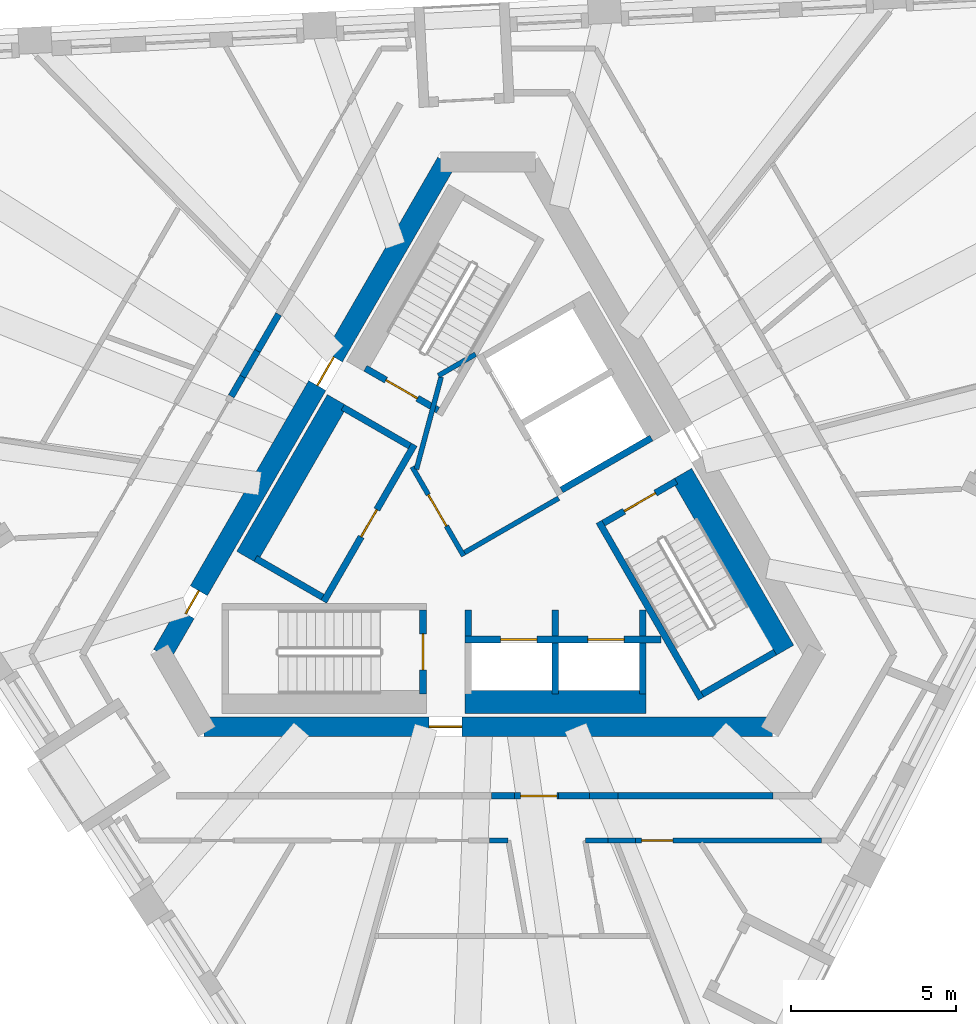
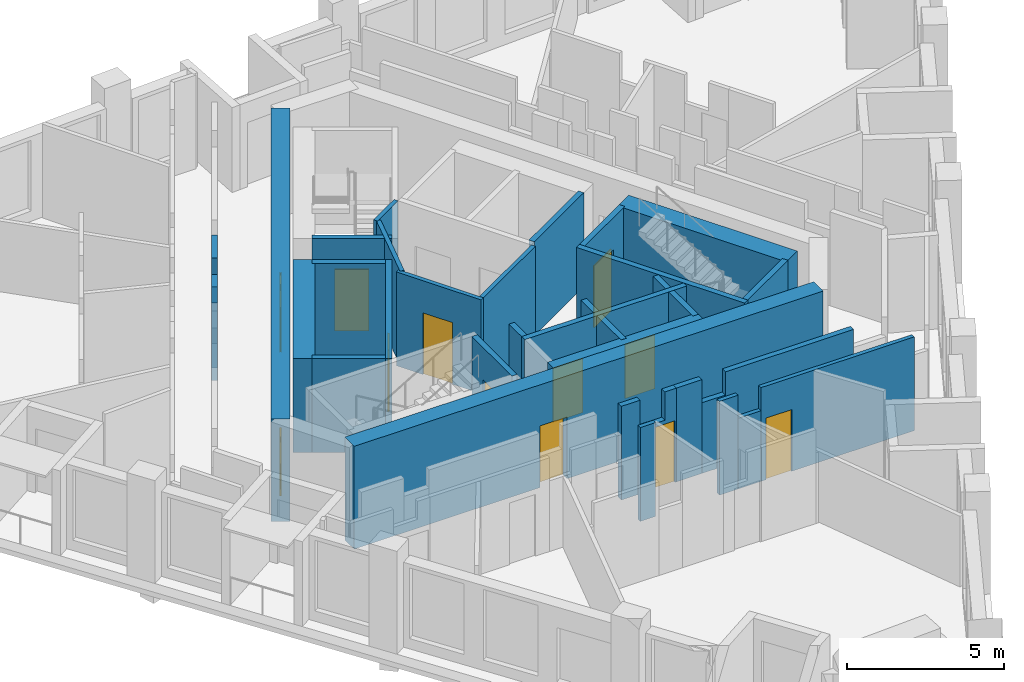
# One storey, part 4 of 12: 36 walls, 12 doors, 12 openings.
"""IFC4 building model written with IfcOpenShell, lengths in metres."""

import ifcopenshell
import ifcopenshell.guid

model = None  # the IFC model being written
_history = None  # IfcOwnerHistory: only IFC2X3 demands one
_inside = {}  # id of a spatial element -> (the spatial element, [elements in it])
_under = {}  # id of a project, library or spatial element -> (it, [spatial elements below it])
_declared = {}  # id of a project -> (the project, [libraries it declares])
_typed = {}  # id of a type object -> (the type object, [elements of that type])
_made_of = {}  # id of a material, layer set ... -> (it, [elements and type objects made of it])


def new_model(schema):
    """Start an empty IFC model of exactly this schema.

    Asked for "IFC4X3", IfcOpenShell would pick the latest addendum, in which some entities
    have other attributes; the version numbers below select the first issue.
    IFC2X3 requires an IfcOwnerHistory on every rooted entity: one is made here for all.
    """
    global model, _history
    if schema == "IFC4X3":
        model = ifcopenshell.file(schema_version=(4, 3, 0, 0))
    else:
        model = ifcopenshell.file(schema=schema)
    _inside.clear()
    _under.clear()
    _declared.clear()
    _typed.clear()
    _made_of.clear()
    _history = None
    if model.schema == "IFC2X3":
        org = make("IfcOrganization", Name="unknown")
        user = make(
            "IfcPersonAndOrganization",
            ThePerson=make("IfcPerson", FamilyName="unknown"),
            TheOrganization=org,
        )
        app = make(
            "IfcApplication",
            ApplicationDeveloper=org,
            Version="unknown",
            ApplicationFullName="unknown",
            ApplicationIdentifier="unknown",
        )
        _history = make(
            "IfcOwnerHistory",
            OwningUser=user,
            OwningApplication=app,
            ChangeAction="ADDED",
            CreationDate=0,
        )
    return model


def make(cls, **values):
    """One entity of the class cls with the attributes given. An attribute that is None is left unset."""
    return model.create_entity(
        cls, **{name: value for name, value in values.items() if value is not None}
    )


def rooted(cls, **values):
    """An entity with a GlobalId (a new one), such as an element, a storey or a relation."""
    return make(cls, GlobalId=ifcopenshell.guid.new(), OwnerHistory=_history, **values)


def si_unit(unit_type, name, prefix=None):
    """IfcSIUnit, for example si_unit("LENGTHUNIT", "METRE", prefix="MILLI")."""
    return make("IfcSIUnit", UnitType=unit_type, Prefix=prefix, Name=name)


def assignment(units):
    """IfcUnitAssignment: the units of a project."""
    return None if units is None else make("IfcUnitAssignment", Units=units)


def point(xyz):
    """IfcCartesianPoint."""
    return None if xyz is None else make("IfcCartesianPoint", Coordinates=xyz)


def direction(xyz):
    """IfcDirection."""
    return None if xyz is None else make("IfcDirection", DirectionRatios=xyz)


def frame(location, z_axis=None, x_axis=None):
    """IfcAxis2Placement3D, a coordinate frame: its origin and axes. An axis left out is left unset."""
    return make(
        "IfcAxis2Placement3D",
        Location=point(location),
        Axis=direction(z_axis),
        RefDirection=direction(x_axis),
    )


def frame_2d(location, x_axis=None):
    """IfcAxis2Placement2D, a coordinate frame in the plane: its origin and x axis."""
    return make(
        "IfcAxis2Placement2D", Location=point(location), RefDirection=direction(x_axis)
    )


def origin():
    """The frame at (0, 0, 0) with its axes left unset."""
    return frame((0.0, 0.0, 0.0))


def place(relative_to, where):
    """IfcLocalPlacement: puts the frame where relative to a parent placement (None: the world)."""
    return make(
        "IfcLocalPlacement", PlacementRelTo=relative_to, RelativePlacement=where
    )


def context(
    kind, dimensions, precision=None, world=None, true_north=None, identifier=None
):
    """IfcGeometricRepresentationContext, for example the 3D "Model" context."""
    return make(
        "IfcGeometricRepresentationContext",
        ContextIdentifier=identifier,
        ContextType=kind,
        CoordinateSpaceDimension=dimensions,
        Precision=precision,
        WorldCoordinateSystem=world,
        TrueNorth=true_north,
    )


def subcontext(parent, identifier, kind, view, scale=None):
    """IfcGeometricRepresentationSubContext, for example "Body" below "Model"."""
    return make(
        "IfcGeometricRepresentationSubContext",
        ContextIdentifier=identifier,
        ContextType=kind,
        ParentContext=parent,
        TargetScale=scale,
        TargetView=view,
    )


def project(units=None, contexts=None):
    """IfcProject with its units and contexts."""
    return rooted(
        "IfcProject",
        Name="project",
        RepresentationContexts=contexts,
        UnitsInContext=assignment(units),
    )


def spatial(cls, under=None, at=None, **own):
    """A site, building, storey or space (cls), placed at a placement, below another one or the project."""
    s = rooted(cls, ObjectPlacement=at, **own)
    if under is not None:
        _under.setdefault(under.id(), (under, []))[1].append(s)
    return s


def polyline(points):
    """IfcPolyline through the points."""
    return make("IfcPolyline", Points=[point(p) for p in points])


def profile(cls, at=None, kind="AREA", **sizes):
    """A parametric profile (cls). Its sizes go by their IFC names, for example OverallWidth=200.0."""
    return make(cls, ProfileType=kind, Position=at, **sizes)


def rectangle(**sizes):
    """IfcRectangleProfileDef."""
    return profile("IfcRectangleProfileDef", **sizes)


def outline(outer, holes=None, kind="AREA"):
    """IfcArbitraryClosedProfileDef: a profile drawn as a closed curve; with holes, ...WithVoids."""
    if holes is None:
        return make("IfcArbitraryClosedProfileDef", ProfileType=kind, OuterCurve=outer)
    return make(
        "IfcArbitraryProfileDefWithVoids",
        ProfileType=kind,
        OuterCurve=outer,
        InnerCurves=holes,
    )


def extrude(swept, where, along, depth):
    """IfcExtrudedAreaSolid: the profile swept, set in the frame where, extruded along a direction by depth."""
    return make(
        "IfcExtrudedAreaSolid",
        SweptArea=swept,
        Position=where,
        ExtrudedDirection=direction(along),
        Depth=depth,
    )


def shape(context_of_items, identifier, shape_type, items):
    """IfcShapeRepresentation: the items that make up one representation, for example the "Body"."""
    return make(
        "IfcShapeRepresentation",
        ContextOfItems=context_of_items,
        RepresentationIdentifier=identifier,
        RepresentationType=shape_type,
        Items=items,
    )


def material(Name=None, Category=None):
    """IfcMaterial."""
    return make("IfcMaterial", Name=Name, Category=Category)


def layer(
    of_material, thickness, ventilated=None, Name=None, Category=None, Priority=None
):
    """IfcMaterialLayer: one layer of a wall or slab, of a material (None: an air gap)."""
    return make(
        "IfcMaterialLayer",
        Material=of_material,
        LayerThickness=thickness,
        IsVentilated=ventilated,
        Name=Name,
        Category=Category,
        Priority=Priority,
    )


def layer_set(layers, Name=None):
    """IfcMaterialLayerSet."""
    return make("IfcMaterialLayerSet", MaterialLayers=layers, LayerSetName=Name)


def made_of(thing, what):
    """Note that an element or type object is made of a material, layer set ...; save() writes the relation."""
    if what is not None:
        _made_of.setdefault(what.id(), (what, []))[1].append(thing)
    return thing


def type_object(cls, material=None, **own):
    """A type object (cls), such as IfcWallType, which elements share."""
    return made_of(rooted(cls, **own), material)


def element(
    cls,
    number,
    at=None,
    inside=None,
    cuts=None,
    type_object=None,
    material=None,
    context=None,
    identifier="Body",
    shape_type=None,
    held_by="IfcProductDefinitionShape",
    body=None,
    shapes=None,
    **own,
):
    """One element of the class cls, such as IfcWall. Its Tag is "e" and its number.

    at: its placement. inside: the storey or other place that contains it. cuts: it is an
    opening in that element (IfcRelVoidsElement). A single representation is given by context,
    identifier, shape_type and body (its items); several are given by shapes. held_by: the class
    of the entity that holds the representations. save() writes the other relations.
    """
    e = rooted(cls, Tag="e%d" % number, ObjectPlacement=at, **own)
    if body is not None:
        shapes = [shape(context, identifier, shape_type, body)]
    if shapes is not None:
        e.Representation = make(held_by, Representations=shapes)
    if inside is not None:
        _inside.setdefault(inside.id(), (inside, []))[1].append(e)
    if cuts is not None:
        rooted(
            "IfcRelVoidsElement", RelatingBuildingElement=cuts, RelatedOpeningElement=e
        )
    if type_object is not None:
        _typed.setdefault(type_object.id(), (type_object, []))[1].append(e)
    return made_of(e, material)


def fill(opening, filler):
    """IfcRelFillsElement: the door or window that sits in an opening."""
    return rooted(
        "IfcRelFillsElement",
        RelatingOpeningElement=opening,
        RelatedBuildingElement=filler,
    )


def aggregate(whole, parts):
    """IfcRelAggregates: a whole, such as a stair, and the parts it consists of."""
    return rooted("IfcRelAggregates", RelatingObject=whole, RelatedObjects=parts)


def save(model, path):
    """Write the relations noted so far, then the file.

    IfcRelAggregates (storeys below a building ...), IfcRelContainedInSpatialStructure (elements
    in a storey), IfcRelDefinesByType, IfcRelAssociatesMaterial and IfcRelDeclares: one each for
    every whole, place, type object, material and project.
    """
    for whole, parts in _under.values():
        aggregate(whole, parts)
    for where, things in _inside.values():
        rooted(
            "IfcRelContainedInSpatialStructure",
            RelatedElements=things,
            RelatingStructure=where,
        )
    for kind, things in _typed.values():
        rooted("IfcRelDefinesByType", RelatedObjects=things, RelatingType=kind)
    for what, things in _made_of.values():
        rooted("IfcRelAssociatesMaterial", RelatedObjects=things, RelatingMaterial=what)
    for by, libraries in _declared.values():
        rooted("IfcRelDeclares", RelatingContext=by, RelatedDefinitions=libraries)
    model.write(path)


model = new_model("IFC4")

# Units and contexts
model_context = context("Model", 3, precision=1e-05, world=origin(), true_north=direction((0.0, 1.0)))
body_context = subcontext(model_context, "Body", "Model", "MODEL_VIEW")
ifc_project = project(units=[si_unit("LENGTHUNIT", "METRE"), si_unit("AREAUNIT", "SQUARE_METRE"), si_unit("VOLUMEUNIT", "CUBIC_METRE"), si_unit("PLANEANGLEUNIT", "RADIAN"), si_unit("MASSUNIT", "GRAM", prefix="KILO")], contexts=[model_context])

# Site, building, storey
site_placement = place(None, origin())
site = spatial("IfcSite", under=ifc_project, at=site_placement, CompositionType="ELEMENT")
building_placement = place(site_placement, origin())
building = spatial("IfcBuilding", under=site, at=building_placement, Name="Tramontana Tower", CompositionType="ELEMENT")
storey_placement = place(building_placement, frame((0.0, 0.0, 282.39990234375)))
storey = spatial("IfcBuildingStorey", under=building, at=storey_placement, Name="L66", CompositionType="ELEMENT", Elevation=282.39990234375)

# Wall, openings, doors
ifc_material_1 = material(Name="Concrete 70 MPa", Category="concrete")
ifc_layer_1 = layer(ifc_material_1, 0.60009765625)
ifc_layer_set_1 = layer_set([ifc_layer_1], Name="Core wall 600 70 MPa")
wall_type_1 = type_object("IfcWallType", Name="Core wall 600 70 MPa", PredefinedType="SHEAR", material=ifc_layer_set_1)
wall_1_placement = place(storey_placement, frame((-1.270263671875, 10.699951171875, 0.0), z_axis=(0.0, 0.0, 1.0), x_axis=(-0.499999536116, -0.866025671608, 0.0)))
wall_1 = element("IfcWall", 1, at=wall_1_placement, inside=storey, type_object=wall_type_1, Name="Core wall C1 L66", PredefinedType="SHEAR", context=body_context, shape_type="SweptSolid", body=[
    extrude(rectangle(XDim=17.2626953125, YDim=0.60009765625, at=frame_2d((8.63134765625, 0.0))), origin(), (0.0, 0.0, 1.0), 4.0),
])
opening_1_placement = place(wall_1_placement, frame((6.83642578125, 0.0, 0.0)))
opening_1 = element("IfcOpeningElement", 2, at=opening_1_placement, cuts=wall_1, Name="Opening RG1", PredefinedType="OPENING", context=body_context, shape_type="SweptSolid", body=[
    extrude(rectangle(XDim=1.0, YDim=2.39990234375, at=frame_2d((0.5, 1.199951171875))), frame((0.0, 0.31005859375, 0.0), z_axis=(0.0, -1.0, 0.0), x_axis=(1.0, 0.0, 0.0)), (0.0, 0.0, 1.0), 0.6201171875),
])
opening_2_placement = place(wall_1_placement, frame((15.0341796875, 0.0, 0.0)))
opening_2 = element("IfcOpeningElement", 3, at=opening_2_placement, cuts=wall_1, Name="Opening PD1", PredefinedType="OPENING", context=body_context, shape_type="SweptSolid", body=[
    extrude(rectangle(XDim=0.800048828125, YDim=2.10009765625, at=frame_2d((0.39990234375, 1.050048828125))), frame((0.0, 0.31005859375, 0.0), z_axis=(0.0, -1.0, 0.0), x_axis=(1.0, 0.0, 0.0)), (0.0, 0.0, 1.0), 0.6201171875),
])
ifc_material_2 = material(Name="Painted steel", Category="steel")
door_type_1 = type_object("IfcDoorType", Name="CUPBOARD DOOR 800", OperationType="SINGLE_SWING_LEFT", PredefinedType="DOOR", material=ifc_material_2)
door_1_placement = place(opening_2_placement, origin())
door_1 = element("IfcDoor", 4, at=door_1_placement, inside=storey, type_object=door_type_1, Name="Door PD1", OperationType="SINGLE_SWING_RIGHT", OverallHeight=2.10009765625, OverallWidth=0.800048828125, PredefinedType="DOOR", context=body_context, shape_type="SweptSolid", body=[
    extrude(rectangle(XDim=0.800048828125, YDim=2.10009765625, at=frame_2d((0.39990234375, 1.050048828125))), frame((0.0, 0.02490234375, 0.0), z_axis=(0.0, -1.0, 0.0), x_axis=(1.0, 0.0, 0.0)), (0.0, 0.0, 1.0), 0.050048828125),
])
fill(opening_2, door_1)
ifc_material_3 = material(Name="Painted steel", Category="steel")
door_type_2 = type_object("IfcDoorType", Name="RING DOOR 1000", OperationType="SINGLE_SWING_LEFT", PredefinedType="DOOR", material=ifc_material_3)
door_2_placement = place(opening_1_placement, origin())
door_2 = element("IfcDoor", 5, at=door_2_placement, inside=storey, type_object=door_type_2, Name="Door RG1", OperationType="SINGLE_SWING_LEFT", OverallHeight=2.39990234375, OverallWidth=1.0, PredefinedType="DOOR", context=body_context, shape_type="SweptSolid", body=[
    extrude(rectangle(XDim=1.0, YDim=2.39990234375, at=frame_2d((0.5, 1.199951171875))), frame((0.0, 0.02490234375, 0.0), z_axis=(0.0, -1.0, 0.0), x_axis=(1.0, 0.0, 0.0)), (0.0, 0.0, 1.0), 0.050048828125),
])
fill(opening_1, door_2)

# Wall, opening, door
wall_2_placement = place(storey_placement, frame((-8.63134765625, -6.449951171875, 0.0), z_axis=(0.0, 0.0, 1.0), x_axis=(1.0, 0.0, 0.0)))
wall_2 = element("IfcWall", 6, at=wall_2_placement, inside=storey, type_object=wall_type_1, Name="Core wall C3 L66", PredefinedType="SHEAR", context=body_context, shape_type="SweptSolid", body=[
    extrude(rectangle(XDim=17.2626953125, YDim=0.60009765625, at=frame_2d((8.63134765625, 0.0))), origin(), (0.0, 0.0, 1.0), 4.0),
])
opening_3_placement = place(wall_2_placement, frame((6.83642578125, 0.0, 0.0)))
opening_3 = element("IfcOpeningElement", 7, at=opening_3_placement, cuts=wall_2, Name="Opening RG2", PredefinedType="OPENING", context=body_context, shape_type="SweptSolid", body=[
    extrude(rectangle(XDim=1.0, YDim=2.39990234375, at=frame_2d((0.5, 1.199951171875))), frame((0.0, 0.31005859375, 0.0), z_axis=(0.0, -1.0, 0.0), x_axis=(1.0, 0.0, 0.0)), (0.0, 0.0, 1.0), 0.6201171875),
])
door_3_placement = place(opening_3_placement, origin())
door_3 = element("IfcDoor", 8, at=door_3_placement, inside=storey, type_object=door_type_2, Name="Door RG2", OperationType="SINGLE_SWING_RIGHT", OverallHeight=2.39990234375, OverallWidth=1.0, PredefinedType="DOOR", context=body_context, shape_type="SweptSolid", body=[
    extrude(rectangle(XDim=1.0, YDim=2.39990234375, at=frame_2d((0.5, 1.199951171875))), frame((0.0, 0.02490234375, 0.0), z_axis=(0.0, -1.0, 0.0), x_axis=(1.0, 0.0, 0.0)), (0.0, 0.0, 1.0), 0.050048828125),
])
fill(opening_3, door_3)

# Walls
ifc_material_4 = material(Name="Blockwork", Category="masonry")
ifc_layer_2 = layer(ifc_material_4, 0.199951171875)
ifc_layer_set_2 = layer_set([ifc_layer_2], Name="ENTRY WALL 200")
wall_type_2 = type_object("IfcWallType", Name="ENTRY WALL 200", PredefinedType="SOLIDWALL", material=ifc_layer_set_2)
wall_3_placement = place(storey_placement, frame((8.6552734375, -8.550048828125, 0.0), z_axis=(0.0, 0.0, 1.0), x_axis=(-1.0, 0.0, 0.0)))
element("IfcWall", 9, at=wall_3_placement, inside=storey, type_object=wall_type_2, Name="Wall v70-ew1-1", PredefinedType="SOLIDWALL", context=body_context, shape_type="SweptSolid", body=[
    extrude(rectangle(XDim=4.71728515625, YDim=0.199951171875, at=frame_2d((2.358642578125, 0.0))), origin(), (0.0, 0.0, 1.0), 3.650146484375),
])
wall_4_placement = place(storey_placement, frame((3.93798828125, -8.550048828125, 0.0), z_axis=(0.0, 0.0, 1.0), x_axis=(-1.0, 0.0, 0.0)))
element("IfcWall", 10, at=wall_4_placement, inside=storey, type_object=wall_type_2, Name="Wall v70-ew1-2", PredefinedType="SOLIDWALL", context=body_context, shape_type="SweptSolid", body=[
    extrude(rectangle(XDim=0.864501953125, YDim=0.199951171875, at=frame_2d((0.43212890625, 0.0))), origin(), (0.0, 0.0, 1.0), 2.75),
])
wall_5_placement = place(storey_placement, frame((3.073486328125, -8.550048828125, 0.0), z_axis=(0.0, 0.0, 1.0), x_axis=(-1.0, 0.0, 0.0)))
element("IfcWall", 11, at=wall_5_placement, inside=storey, type_object=wall_type_2, Name="Wall v70-ew1-3", PredefinedType="SOLIDWALL", context=body_context, shape_type="SweptSolid", body=[
    extrude(rectangle(XDim=0.939208984375, YDim=0.199951171875, at=frame_2d((0.4697265625, 0.0))), origin(), (0.0, 0.0, 1.0), 3.650146484375),
])

# Wall, opening, door
wall_6_placement = place(storey_placement, frame((2.13427734375, -8.550048828125, 0.0), z_axis=(0.0, 0.0, 1.0), x_axis=(-1.0, 0.0, 0.0)))
wall_6 = element("IfcWall", 12, at=wall_6_placement, inside=storey, type_object=wall_type_2, Name="Wall v70-ew1-4", PredefinedType="SOLIDWALL", context=body_context, shape_type="SweptSolid", body=[
    extrude(outline(polyline([(0.0, 0.0), (1.339111328125, 0.0), (1.3388671875, 2.550048828125), (0.429443359375, 2.550048828125), (0.429443359375, 3.650146484375), (0.0, 3.650146484375), (0.0, 0.0)])), frame((0.0, 0.10009765625, 0.0), z_axis=(0.0, -1.0, 0.0), x_axis=(1.0, 0.0, 0.0)), (0.0, 0.0, 1.0), 0.199951171875),
])
opening_4_placement = place(wall_6_placement, frame((0.050048828125, 0.0, 0.0)))
opening_4 = element("IfcOpeningElement", 13, at=opening_4_placement, cuts=wall_6, Name="Opening B7A-22", PredefinedType="OPENING", context=body_context, shape_type="SweptSolid", body=[
    extrude(rectangle(XDim=1.10009765625, YDim=2.39990234375, at=frame_2d((0.550048828125, 1.199951171875))), frame((0.0, 0.10986328125, 0.0), z_axis=(0.0, -1.0, 0.0), x_axis=(1.0, 0.0, 0.0)), (0.0, 0.0, 1.0), 0.219970703125),
])
ifc_material_5 = material(Name="Painted timber", Category="wood")
door_type_3 = type_object("IfcDoorType", Name="DOOR ENTRY 1100", OperationType="SINGLE_SWING_LEFT", PredefinedType="DOOR", material=ifc_material_5)
door_4_placement = place(opening_4_placement, origin())
door_4 = element("IfcDoor", 14, at=door_4_placement, inside=storey, type_object=door_type_3, Name="Door B7A-22", OperationType="SINGLE_SWING_RIGHT", OverallHeight=2.39990234375, OverallWidth=1.10009765625, PredefinedType="DOOR", context=body_context, shape_type="SweptSolid", body=[
    extrude(rectangle(XDim=1.10009765625, YDim=2.39990234375, at=frame_2d((0.550048828125, 1.199951171875))), frame((0.0, 0.02490234375, 0.0), z_axis=(0.0, -1.0, 0.0), x_axis=(1.0, 0.0, 0.0)), (0.0, 0.0, 1.0), 0.050048828125),
])
fill(opening_4, door_4)

# Walls
wall_7_placement = place(storey_placement, frame((0.795166015625, -8.550048828125, 0.0), z_axis=(0.0, 0.0, 1.0), x_axis=(-1.0, 0.0, 0.0)))
element("IfcWall", 15, at=wall_7_placement, inside=storey, type_object=wall_type_2, Name="Wall v70-ew1-5", PredefinedType="SOLIDWALL", context=body_context, shape_type="SweptSolid", body=[
    extrude(rectangle(XDim=0.69091796875, YDim=0.199951171875, at=frame_2d((0.345458984375, 0.0))), origin(), (0.0, 0.0, 1.0), 3.650146484375),
])
wall_8_placement = place(storey_placement, frame((-7.80224609375, 3.586181640625, 0.0), z_axis=(0.0, 0.0, 1.0), x_axis=(0.500242282693, 0.865885476611, 0.0)))
element("IfcWall", 16, at=wall_8_placement, inside=storey, type_object=wall_type_2, Name="Wall v70-ew3-5", PredefinedType="SOLIDWALL", context=body_context, shape_type="SweptSolid", body=[
    extrude(rectangle(XDim=0.691162109375, YDim=0.199951171875, at=frame_2d((0.345703125, 0.0))), origin(), (0.0, 0.0, 1.0), 3.650146484375),
])
wall_9_placement = place(storey_placement, frame((-7.45654296875, 4.1845703125, 0.0), z_axis=(0.0, 0.0, 1.0), x_axis=(0.499753735824, 0.866167537795, 0.0)))
element("IfcWall", 17, at=wall_9_placement, inside=storey, type_object=wall_type_2, Name="Wall v70-ew3-6", PredefinedType="SOLIDWALL", context=body_context, shape_type="SweptSolid", body=[
    extrude(rectangle(XDim=0.90087890625, YDim=0.199951171875, at=frame_2d((0.450439453125, 0.0))), origin(), (0.0, 0.0, 1.0), 2.550048828125),
])
wall_10_placement = place(storey_placement, frame((-7.00634765625, 4.96484375, 0.0), z_axis=(0.0, 0.0, 1.0), x_axis=(0.500018234033, 0.866014876105, 0.0)))
element("IfcWall", 18, at=wall_10_placement, inside=storey, type_object=wall_type_2, Name="Wall v70-ew3-7", PredefinedType="SOLIDWALL", context=body_context, shape_type="SweptSolid", body=[
    extrude(rectangle(XDim=1.2861328125, YDim=0.199951171875, at=frame_2d((0.64306640625, 0.0))), origin(), (0.0, 0.0, 1.0), 3.650146484375),
])

# Wall, opening, door
ifc_material_6 = material(Name="Gypsum board partition")
ifc_layer_3 = layer(ifc_material_6, 0.14990234375)
ifc_layer_set_3 = layer_set([ifc_layer_3], Name="PARTITION 150")
wall_type_3 = type_object("IfcWallType", Name="PARTITION 150", PredefinedType="PARTITIONING", material=ifc_layer_set_3)
wall_11_placement = place(storey_placement, frame((-0.744140625, -1.260986328125, 0.0), z_axis=(0.0, 0.0, 1.0), x_axis=(-0.500004234368, 0.866022959057, 0.0)))
wall_11 = element("IfcWall", 19, at=wall_11_placement, inside=storey, type_object=wall_type_3, Name="Wall ff-front", PredefinedType="PARTITIONING", context=body_context, shape_type="SweptSolid", body=[
    extrude(rectangle(XDim=3.125, YDim=0.14990234375, at=frame_2d((1.5625, 0.0))), origin(), (0.0, 0.0, 1.0), 3.650146484375),
])
opening_5_placement = place(wall_11_placement, frame((1.050048828125, 0.0, 0.0)))
opening_5 = element("IfcOpeningElement", 20, at=opening_5_placement, cuts=wall_11, Name="Opening FD1", PredefinedType="OPENING", context=body_context, shape_type="SweptSolid", body=[
    extrude(rectangle(XDim=1.10009765625, YDim=2.39990234375, at=frame_2d((0.550048828125, 1.199951171875))), frame((0.0, 0.0849609375, 0.0), z_axis=(0.0, -1.0, 0.0), x_axis=(1.0, 0.0, 0.0)), (0.0, 0.0, 1.0), 0.169921875),
])
door_5_placement = place(opening_5_placement, origin())
door_5 = element("IfcDoor", 21, at=door_5_placement, inside=storey, type_object=door_type_3, Name="Door FD1", OperationType="SINGLE_SWING_RIGHT", OverallHeight=2.39990234375, OverallWidth=1.10009765625, PredefinedType="DOOR", context=body_context, shape_type="SweptSolid", body=[
    extrude(rectangle(XDim=1.10009765625, YDim=2.39990234375, at=frame_2d((0.550048828125, 1.199951171875))), frame((0.0, 0.02490234375, 0.0), z_axis=(0.0, -1.0, 0.0), x_axis=(1.0, 0.0, 0.0)), (0.0, 0.0, 1.0), 0.050048828125),
])
fill(opening_5, door_5)

# Walls
wall_12_placement = place(storey_placement, frame((-0.716796875, -1.15869140625, 0.0), z_axis=(0.0, 0.0, 1.0), x_axis=(0.866008176907, 0.50002983664, 0.0)))
element("IfcWall", 22, at=wall_12_placement, inside=storey, type_object=wall_type_3, Name="Wall ff-end0", PredefinedType="PARTITIONING", context=body_context, shape_type="SweptSolid", body=[
    extrude(rectangle(XDim=3.300048828125, YDim=0.14990234375, at=frame_2d((1.64990234375, 0.0))), origin(), (0.0, 0.0, 1.0), 3.650146484375),
])
wall_13_placement = place(storey_placement, frame((-2.177978515625, 1.372314453125, 0.0), z_axis=(0.0, 0.0, 1.0), x_axis=(0.258808958833, 0.96592852884, 0.0)))
element("IfcWall", 23, at=wall_13_placement, inside=storey, type_object=wall_type_3, Name="Wall ff-diag", PredefinedType="PARTITIONING", context=body_context, shape_type="SweptSolid", body=[
    extrude(rectangle(XDim=2.902587890625, YDim=0.14990234375, at=frame_2d((1.451171875, 0.0))), origin(), (0.0, 0.0, 1.0), 3.650146484375),
])
wall_14_placement = place(storey_placement, frame((-1.509765625, 4.21484375, 0.0), z_axis=(0.0, 0.0, 1.0), x_axis=(0.866085525409, 0.49989585183, 0.0)))
element("IfcWall", 24, at=wall_14_placement, inside=storey, type_object=wall_type_3, Name="Wall ff-end1", PredefinedType="PARTITIONING", context=body_context, shape_type="SweptSolid", body=[
    extrude(rectangle(XDim=1.300048828125, YDim=0.14990234375, at=frame_2d((0.64990234375, 0.0))), origin(), (0.0, 0.0, 1.0), 3.650146484375),
])
wall_15_placement = place(storey_placement, frame((0.604736328125, -9.89990234375, 0.0), z_axis=(0.0, 0.0, 1.0), x_axis=(-1.0, 0.0, 0.0)))
element("IfcWall", 25, at=wall_15_placement, inside=storey, type_object=wall_type_3, Name="Wall v70-pw14-0", PredefinedType="PARTITIONING", context=body_context, shape_type="SweptSolid", body=[
    extrude(rectangle(XDim=0.567626953125, YDim=0.14990234375, at=frame_2d((0.28369140625, 0.0))), origin(), (0.0, 0.0, 1.0), 3.650146484375),
])

# Wall, opening, door
wall_16_placement = place(storey_placement, frame((10.121337890625, -9.89990234375, 0.0), z_axis=(0.0, 0.0, 1.0), x_axis=(-1.0, 0.0, 0.0)))
wall_16 = element("IfcWall", 26, at=wall_16_placement, inside=storey, type_object=wall_type_3, Name="Wall v70-pw26-1", PredefinedType="PARTITIONING", context=body_context, shape_type="SweptSolid", body=[
    extrude(rectangle(XDim=5.643310546875, YDim=0.14990234375, at=frame_2d((2.82177734375, 0.0))), origin(), (0.0, 0.0, 1.0), 3.650146484375),
])
opening_6_placement = place(wall_16_placement, frame((4.509765625, 0.0, 0.0)))
opening_6 = element("IfcOpeningElement", 27, at=opening_6_placement, cuts=wall_16, Name="Opening B7A-12", PredefinedType="OPENING", context=body_context, shape_type="SweptSolid", body=[
    extrude(rectangle(XDim=0.949951171875, YDim=2.39990234375, at=frame_2d((0.47509765625, 1.199951171875))), frame((0.0, 0.0849609375, 0.0), z_axis=(0.0, -1.0, 0.0), x_axis=(1.0, 0.0, 0.0)), (0.0, 0.0, 1.0), 0.169921875),
])
ifc_material_7 = material(Name="Painted timber", Category="wood")
door_type_4 = type_object("IfcDoorType", Name="DOOR ROOM 950", OperationType="SINGLE_SWING_LEFT", PredefinedType="DOOR", material=ifc_material_7)
door_6_placement = place(opening_6_placement, origin())
door_6 = element("IfcDoor", 28, at=door_6_placement, inside=storey, type_object=door_type_4, Name="Door B7A-12", OperationType="SINGLE_SWING_RIGHT", OverallHeight=2.39990234375, OverallWidth=0.949951171875, PredefinedType="DOOR", context=body_context, shape_type="SweptSolid", body=[
    extrude(rectangle(XDim=0.949951171875, YDim=2.39990234375, at=frame_2d((0.47509765625, 1.199951171875))), frame((0.0, 0.02490234375, 0.0), z_axis=(0.0, -1.0, 0.0), x_axis=(1.0, 0.0, 0.0)), (0.0, 0.0, 1.0), 0.050048828125),
])
fill(opening_6, door_6)

# Walls
wall_17_placement = place(storey_placement, frame((4.47802734375, -9.89990234375, 0.0), z_axis=(0.0, 0.0, 1.0), x_axis=(-1.0, 0.0, 0.0)))
element("IfcWall", 29, at=wall_17_placement, inside=storey, type_object=wall_type_3, Name="Wall v70-pw26-2", PredefinedType="PARTITIONING", context=body_context, shape_type="SweptSolid", body=[
    extrude(rectangle(XDim=0.837646484375, YDim=0.14990234375, at=frame_2d((0.4189453125, 0.0))), origin(), (0.0, 0.0, 1.0), 2.75),
])
wall_18_placement = place(storey_placement, frame((3.640380859375, -9.89990234375, 0.0), z_axis=(0.0, 0.0, 1.0), x_axis=(-1.0, 0.0, 0.0)))
element("IfcWall", 30, at=wall_18_placement, inside=storey, type_object=wall_type_3, Name="Wall v70-pw26-3", PredefinedType="PARTITIONING", context=body_context, shape_type="SweptSolid", body=[
    extrude(rectangle(XDim=0.69091796875, YDim=0.14990234375, at=frame_2d((0.345458984375, 0.0))), origin(), (0.0, 0.0, 1.0), 3.650146484375),
])
ifc_material_8 = material(Name="Concrete 70 MPa", Category="concrete")
ifc_layer_4 = layer(ifc_material_8, 0.699951171875)
ifc_layer_set_4 = layer_set([ifc_layer_4], Name="Concrete 70 MPa, 700 mm")
wall_type_4 = type_object("IfcWallType", Name="RC SHAFT BACK WALL 700", PredefinedType="SOLIDWALL", material=ifc_layer_set_4)
wall_19_placement = place(storey_placement, frame((8.976318359375, -4.1474609375, 0.0), z_axis=(0.0, 0.0, 1.0), x_axis=(-0.49998037582, 0.866036733513, 0.0)))
element("IfcWall", 31, at=wall_19_placement, inside=storey, type_object=wall_type_4, Name="Wall st3-back", PredefinedType="SOLIDWALL", context=body_context, shape_type="SweptSolid", body=[
    extrude(rectangle(XDim=6.199951171875, YDim=0.699951171875, at=frame_2d((3.10009765625, 0.0))), origin(), (0.0, 0.0, 1.0), 3.650146484375),
])
for number, where, z_axis, x_axis, name in (
    (32, (-4.581298828125, 3.46484375, 0.0), (0.0, 0.0, 1.0), (-0.499996545922, -0.866027397988, 0.0), "Wall row0-back"),
    (33, (-0.7099609375, -5.699951171875, 0.0), (0.0, 0.0, 1.0), (1.0, 0.0, 0.0), "Wall row1-back"),
):
    element("IfcWall", number, at=place(storey_placement, frame(where, z_axis=z_axis, x_axis=x_axis)), inside=storey, type_object=wall_type_4, Name=name, PredefinedType="SOLIDWALL", context=body_context, shape_type="SweptSolid", body=[
        extrude(rectangle(XDim=5.5, YDim=0.699951171875, at=frame_2d((2.75, 0.0))), origin(), (0.0, 0.0, 1.0), 3.650146484375),
    ])

# Wall, opening, door
ifc_material_9 = material(Name="Concrete 70 MPa", Category="concrete")
ifc_layer_5 = layer(ifc_material_9, 0.199951171875)
ifc_layer_set_5 = layer_set([ifc_layer_5], Name="Concrete 70 MPa, 200 mm")
wall_type_5 = type_object("IfcWallType", Name="RC STAIR AND SHAFT WALL 200", PredefinedType="SOLIDWALL", material=ifc_layer_set_5)
wall_20_placement = place(storey_placement, frame((-1.521484375, 3.164794921875, 0.0), z_axis=(0.0, 0.0, 1.0), x_axis=(-0.866030925526, 0.499990435942, 0.0)))
wall_20 = element("IfcWall", 34, at=wall_20_placement, inside=storey, type_object=wall_type_5, Name="Wall st1-near", PredefinedType="SOLIDWALL", context=body_context, shape_type="SweptSolid", body=[
    extrude(rectangle(XDim=2.5498046875, YDim=0.199951171875, at=frame_2d((1.27490234375, 0.0))), origin(), (0.0, 0.0, 1.0), 3.650146484375),
])
opening_7_placement = place(wall_20_placement, frame((0.72509765625, 0.0, 0.0)))
opening_7 = element("IfcOpeningElement", 35, at=opening_7_placement, cuts=wall_20, Name="Opening SD1", PredefinedType="OPENING", context=body_context, shape_type="SweptSolid", body=[
    extrude(rectangle(XDim=1.10009765625, YDim=2.39990234375, at=frame_2d((0.550048828125, 1.199951171875))), frame((0.0, 0.10986328125, 0.0), z_axis=(0.0, -1.0, 0.0), x_axis=(1.0, 0.0, 0.0)), (0.0, 0.0, 1.0), 0.219970703125),
])
ifc_material_10 = material(Name="Painted steel", Category="steel")
door_type_5 = type_object("IfcDoorType", Name="STAIR DOOR 1100", OperationType="SINGLE_SWING_LEFT", PredefinedType="DOOR", material=ifc_material_10)
door_7_placement = place(opening_7_placement, origin())
door_7 = element("IfcDoor", 36, at=door_7_placement, inside=storey, type_object=door_type_5, Name="Door SD1", OperationType="SINGLE_SWING_RIGHT", OverallHeight=2.39990234375, OverallWidth=1.10009765625, PredefinedType="DOOR", context=body_context, shape_type="SweptSolid", body=[
    extrude(rectangle(XDim=1.10009765625, YDim=2.39990234375, at=frame_2d((0.550048828125, 1.199951171875))), frame((0.0, 0.02490234375, 0.0), z_axis=(0.0, -1.0, 0.0), x_axis=(1.0, 0.0, 0.0)), (0.0, 0.0, 1.0), 0.050048828125),
])
fill(opening_7, door_7)

wall_21_placement = place(storey_placement, frame((-1.97998046875, -2.89990234375, 0.0), z_axis=(0.0, 0.0, 1.0), x_axis=(0.0, -1.0, 0.0)))
wall_21 = element("IfcWall", 37, at=wall_21_placement, inside=storey, type_object=wall_type_5, Name="Wall st2-near", PredefinedType="SOLIDWALL", context=body_context, shape_type="SweptSolid", body=[
    extrude(rectangle(XDim=2.550048828125, YDim=0.199951171875, at=frame_2d((1.27490234375, 0.0))), origin(), (0.0, 0.0, 1.0), 3.650146484375),
])
opening_8_placement = place(wall_21_placement, frame((0.72509765625, 0.0, 0.0)))
opening_8 = element("IfcOpeningElement", 38, at=opening_8_placement, cuts=wall_21, Name="Opening SD2", PredefinedType="OPENING", context=body_context, shape_type="SweptSolid", body=[
    extrude(rectangle(XDim=1.10009765625, YDim=2.39990234375, at=frame_2d((0.550048828125, 1.199951171875))), frame((0.0, 0.10986328125, 0.0), z_axis=(0.0, -1.0, 0.0), x_axis=(1.0, 0.0, 0.0)), (0.0, 0.0, 1.0), 0.219970703125),
])
door_8_placement = place(opening_8_placement, origin())
door_8 = element("IfcDoor", 39, at=door_8_placement, inside=storey, type_object=door_type_5, Name="Door SD2", OperationType="SINGLE_SWING_LEFT", OverallHeight=2.39990234375, OverallWidth=1.10009765625, PredefinedType="DOOR", context=body_context, shape_type="SweptSolid", body=[
    extrude(rectangle(XDim=1.10009765625, YDim=2.39990234375, at=frame_2d((0.550048828125, 1.199951171875))), frame((0.0, 0.02490234375, 0.0), z_axis=(0.0, -1.0, 0.0), x_axis=(1.0, 0.0, 0.0)), (0.0, 0.0, 1.0), 0.050048828125),
])
fill(opening_8, door_8)

# Walls
wall_22_placement = place(storey_placement, frame((6.46484375, -5.597412109375, 0.0), z_axis=(0.0, 0.0, 1.0), x_axis=(-0.49998037582, 0.866036733513, 0.0)))
element("IfcWall", 40, at=wall_22_placement, inside=storey, type_object=wall_type_5, Name="Wall st3-front", PredefinedType="SOLIDWALL", context=body_context, shape_type="SweptSolid", body=[
    extrude(rectangle(XDim=6.199951171875, YDim=0.199951171875, at=frame_2d((3.10009765625, 0.0))), origin(), (0.0, 0.0, 1.0), 3.650146484375),
])
wall_23_placement = place(storey_placement, frame((6.50146484375, -5.4609375, 0.0), z_axis=(0.0, 0.0, 1.0), x_axis=(0.865989465428, 0.500062241894, 0.0)))
element("IfcWall", 41, at=wall_23_placement, inside=storey, type_object=wall_type_5, Name="Wall st3-far", PredefinedType="SOLIDWALL", context=body_context, shape_type="SweptSolid", body=[
    extrude(rectangle(XDim=2.550048828125, YDim=0.199951171875, at=frame_2d((1.27490234375, 0.0))), origin(), (0.0, 0.0, 1.0), 3.650146484375),
])

# Wall, opening, door
wall_24_placement = place(storey_placement, frame((3.50146484375, -0.2646484375, 0.0), z_axis=(0.0, 0.0, 1.0), x_axis=(0.866030925526, 0.499990435942, 0.0)))
wall_24 = element("IfcWall", 42, at=wall_24_placement, inside=storey, type_object=wall_type_5, Name="Wall st3-near", PredefinedType="SOLIDWALL", context=body_context, shape_type="SweptSolid", body=[
    extrude(rectangle(XDim=2.5498046875, YDim=0.199951171875, at=frame_2d((1.27490234375, 0.0))), origin(), (0.0, 0.0, 1.0), 3.650146484375),
])
opening_9_placement = place(wall_24_placement, frame((0.72509765625, 0.0, 0.0)))
opening_9 = element("IfcOpeningElement", 43, at=opening_9_placement, cuts=wall_24, Name="Opening SD3", PredefinedType="OPENING", context=body_context, shape_type="SweptSolid", body=[
    extrude(rectangle(XDim=1.10009765625, YDim=2.39990234375, at=frame_2d((0.550048828125, 1.199951171875))), frame((0.0, 0.10986328125, 0.0), z_axis=(0.0, -1.0, 0.0), x_axis=(1.0, 0.0, 0.0)), (0.0, 0.0, 1.0), 0.219970703125),
])
door_9_placement = place(opening_9_placement, origin())
door_9 = element("IfcDoor", 44, at=door_9_placement, inside=storey, type_object=door_type_5, Name="Door SD3", OperationType="SINGLE_SWING_RIGHT", OverallHeight=2.39990234375, OverallWidth=1.10009765625, PredefinedType="DOOR", context=body_context, shape_type="SweptSolid", body=[
    extrude(rectangle(XDim=1.10009765625, YDim=2.39990234375, at=frame_2d((0.550048828125, 1.199951171875))), frame((0.0, 0.02490234375, 0.0), z_axis=(0.0, -1.0, 0.0), x_axis=(1.0, 0.0, 0.0)), (0.0, 0.0, 1.0), 0.050048828125),
])
fill(opening_9, door_9)

wall_25_placement = place(storey_placement, frame((-4.9931640625, -2.648193359375, 0.0), z_axis=(0.0, 0.0, 1.0), x_axis=(0.499996545922, 0.866027397988, 0.0)))
wall_25 = element("IfcWall", 45, at=wall_25_placement, inside=storey, type_object=wall_type_5, Name="Wall row0-front", PredefinedType="SOLIDWALL", context=body_context, shape_type="SweptSolid", body=[
    extrude(rectangle(XDim=5.5, YDim=0.199951171875, at=frame_2d((2.75, 0.0))), origin(), (0.0, 0.0, 1.0), 3.650146484375),
])
opening_10_placement = place(wall_25_placement, frame((2.27490234375, 0.0, 0.0)))
opening_10 = element("IfcOpeningElement", 46, at=opening_10_placement, cuts=wall_25, Name="Opening RD-0", PredefinedType="OPENING", context=body_context, shape_type="SweptSolid", body=[
    extrude(rectangle(XDim=0.949951171875, YDim=2.39990234375, at=frame_2d((0.47509765625, 1.199951171875))), frame((0.0, 0.10986328125, 0.0), z_axis=(0.0, -1.0, 0.0), x_axis=(1.0, 0.0, 0.0)), (0.0, 0.0, 1.0), 0.219970703125),
])
door_10_placement = place(opening_10_placement, origin())
door_10 = element("IfcDoor", 47, at=door_10_placement, inside=storey, type_object=door_type_4, Name="Door RD-0", OperationType="SINGLE_SWING_LEFT", OverallHeight=2.39990234375, OverallWidth=0.949951171875, PredefinedType="DOOR", context=body_context, shape_type="SweptSolid", body=[
    extrude(rectangle(XDim=0.949951171875, YDim=2.39990234375, at=frame_2d((0.47509765625, 1.199951171875))), frame((0.0, 0.02490234375, 0.0), z_axis=(0.0, -1.0, 0.0), x_axis=(1.0, 0.0, 0.0)), (0.0, 0.0, 1.0), 0.050048828125),
])
fill(opening_10, door_10)

# Walls
wall_26_placement = place(storey_placement, frame((-2.379638671875, 2.078369140625, 0.0), z_axis=(0.0, 0.0, 1.0), x_axis=(-0.866061024631, 0.499938297808, 0.0)))
element("IfcWall", 48, at=wall_26_placement, inside=storey, type_object=wall_type_5, Name="Wall row0-side0", PredefinedType="SOLIDWALL", context=body_context, shape_type="SweptSolid", body=[
    extrude(rectangle(XDim=2.349853515625, YDim=0.199951171875, at=frame_2d((1.1748046875, 0.0))), origin(), (0.0, 0.0, 1.0), 3.650146484375),
])
wall_27_placement = place(storey_placement, frame((-5.02978515625, -2.51171875, 0.0), z_axis=(0.0, 0.0, 1.0), x_axis=(-0.866016039709, 0.500016218704, 0.0)))
element("IfcWall", 49, at=wall_27_placement, inside=storey, type_object=wall_type_5, Name="Wall row0-side2", PredefinedType="SOLIDWALL", context=body_context, shape_type="SweptSolid", body=[
    extrude(rectangle(XDim=2.35009765625, YDim=0.199951171875, at=frame_2d((1.175048828125, 0.0))), origin(), (0.0, 0.0, 1.0), 3.650146484375),
])

# Wall, openings, doors
wall_28_placement = place(storey_placement, frame((-0.7099609375, -3.800048828125, 0.0), z_axis=(0.0, 0.0, 1.0), x_axis=(1.0, 0.0, 0.0)))
wall_28 = element("IfcWall", 50, at=wall_28_placement, inside=storey, type_object=wall_type_5, Name="Wall row1-front", PredefinedType="SOLIDWALL", context=body_context, shape_type="SweptSolid", body=[
    extrude(rectangle(XDim=5.96142578125, YDim=0.199951171875, at=frame_2d((2.980712890625, 0.0))), origin(), (0.0, 0.0, 1.0), 3.650146484375),
])
opening_11_placement = place(wall_28_placement, frame((1.090087890625, 0.0, 0.0)))
opening_11 = element("IfcOpeningElement", 51, at=opening_11_placement, cuts=wall_28, Name="Opening LD-S1", PredefinedType="OPENING", context=body_context, shape_type="SweptSolid", body=[
    extrude(rectangle(XDim=1.10009765625, YDim=2.10009765625, at=frame_2d((0.550048828125, 1.050048828125))), frame((0.0, 0.10986328125, 0.0), z_axis=(0.0, -1.0, 0.0), x_axis=(1.0, 0.0, 0.0)), (0.0, 0.0, 1.0), 0.219970703125),
])
opening_12_placement = place(wall_28_placement, frame((3.739990234375, 0.0, 0.0)))
opening_12 = element("IfcOpeningElement", 52, at=opening_12_placement, cuts=wall_28, Name="Opening LD-S2", PredefinedType="OPENING", context=body_context, shape_type="SweptSolid", body=[
    extrude(rectangle(XDim=1.10009765625, YDim=2.10009765625, at=frame_2d((0.550048828125, 1.050048828125))), frame((0.0, 0.10986328125, 0.0), z_axis=(0.0, -1.0, 0.0), x_axis=(1.0, 0.0, 0.0)), (0.0, 0.0, 1.0), 0.219970703125),
])
ifc_material_11 = material(Name="Brushed steel", Category="steel")
door_type_6 = type_object("IfcDoorType", Name="LANDING DOOR 1100", OperationType="SINGLE_SWING_LEFT", PredefinedType="DOOR", material=ifc_material_11)
door_11_placement = place(opening_11_placement, origin())
door_11 = element("IfcDoor", 53, at=door_11_placement, inside=storey, type_object=door_type_6, Name="Door LD-S1", OperationType="SLIDING_TO_RIGHT", OverallHeight=2.10009765625, OverallWidth=1.10009765625, PredefinedType="DOOR", context=body_context, shape_type="SweptSolid", body=[
    extrude(rectangle(XDim=1.10009765625, YDim=2.10009765625, at=frame_2d((0.550048828125, 1.050048828125))), frame((0.0, 0.02490234375, 0.0), z_axis=(0.0, -1.0, 0.0), x_axis=(1.0, 0.0, 0.0)), (0.0, 0.0, 1.0), 0.050048828125),
])
fill(opening_11, door_11)
door_12_placement = place(opening_12_placement, origin())
door_12 = element("IfcDoor", 54, at=door_12_placement, inside=storey, type_object=door_type_6, Name="Door LD-S2", OperationType="SLIDING_TO_LEFT", OverallHeight=2.10009765625, OverallWidth=1.10009765625, PredefinedType="DOOR", context=body_context, shape_type="SweptSolid", body=[
    extrude(rectangle(XDim=1.10009765625, YDim=2.10009765625, at=frame_2d((0.550048828125, 1.050048828125))), frame((0.0, 0.02490234375, 0.0), z_axis=(0.0, -1.0, 0.0), x_axis=(1.0, 0.0, 0.0)), (0.0, 0.0, 1.0), 0.050048828125),
])
fill(opening_12, door_12)

# Walls
wall_29_placement = place(storey_placement, frame((-0.610107421875, -2.89990234375, 0.0), z_axis=(0.0, 0.0, 1.0), x_axis=(0.0, -1.0, 0.0)))
element("IfcWall", 55, at=wall_29_placement, inside=storey, type_object=wall_type_5, Name="Wall row1-side0-ret", PredefinedType="SOLIDWALL", context=body_context, shape_type="SweptSolid", body=[
    extrude(rectangle(XDim=0.800048828125, YDim=0.199951171875, at=frame_2d((0.39990234375, 0.0))), origin(), (0.0, 0.0, 1.0), 3.650146484375),
])
wall_30_placement = place(storey_placement, frame((2.0400390625, -3.89990234375, 0.0), z_axis=(0.0, 0.0, 1.0), x_axis=(0.0, -1.0, 0.0)))
element("IfcWall", 56, at=wall_30_placement, inside=storey, type_object=wall_type_5, Name="Wall row1-side1", PredefinedType="SOLIDWALL", context=body_context, shape_type="SweptSolid", body=[
    extrude(rectangle(XDim=1.550048828125, YDim=0.199951171875, at=frame_2d((0.77490234375, 0.0))), origin(), (0.0, 0.0, 1.0), 3.650146484375),
])
wall_31_placement = place(storey_placement, frame((2.0400390625, -2.89990234375, 0.0), z_axis=(0.0, 0.0, 1.0), x_axis=(0.0, -1.0, 0.0)))
element("IfcWall", 57, at=wall_31_placement, inside=storey, type_object=wall_type_5, Name="Wall row1-side1-ret", PredefinedType="SOLIDWALL", context=body_context, shape_type="SweptSolid", body=[
    extrude(rectangle(XDim=0.800048828125, YDim=0.199951171875, at=frame_2d((0.39990234375, 0.0))), origin(), (0.0, 0.0, 1.0), 3.650146484375),
])
wall_32_placement = place(storey_placement, frame((4.68994140625, -3.89990234375, 0.0), z_axis=(0.0, 0.0, 1.0), x_axis=(0.0, -1.0, 0.0)))
element("IfcWall", 58, at=wall_32_placement, inside=storey, type_object=wall_type_5, Name="Wall row1-side2", PredefinedType="SOLIDWALL", context=body_context, shape_type="SweptSolid", body=[
    extrude(rectangle(XDim=1.550048828125, YDim=0.199951171875, at=frame_2d((0.77490234375, 0.0))), origin(), (0.0, 0.0, 1.0), 3.650146484375),
])
wall_33_placement = place(storey_placement, frame((4.68994140625, -2.89990234375, 0.0), z_axis=(0.0, 0.0, 1.0), x_axis=(0.0, -1.0, 0.0)))
element("IfcWall", 59, at=wall_33_placement, inside=storey, type_object=wall_type_5, Name="Wall row1-side2-ret", PredefinedType="SOLIDWALL", context=body_context, shape_type="SweptSolid", body=[
    extrude(rectangle(XDim=0.800048828125, YDim=0.199951171875, at=frame_2d((0.39990234375, 0.0))), origin(), (0.0, 0.0, 1.0), 3.650146484375),
])
wall_34_placement = place(storey_placement, frame((2.226806640625, 0.742919921875, 0.0), z_axis=(0.0, 0.0, 1.0), x_axis=(0.866035871367, 0.499981869177, 0.0)))
element("IfcWall", 60, at=wall_34_placement, inside=storey, type_object=wall_type_5, Name="Wall row2-side0", PredefinedType="SOLIDWALL", context=body_context, shape_type="SweptSolid", body=[
    extrude(rectangle(XDim=3.14990234375, YDim=0.199951171875, at=frame_2d((1.574951171875, 0.0))), origin(), (0.0, 0.0, 1.0), 3.650146484375),
])

save(model, "model.ifc")
